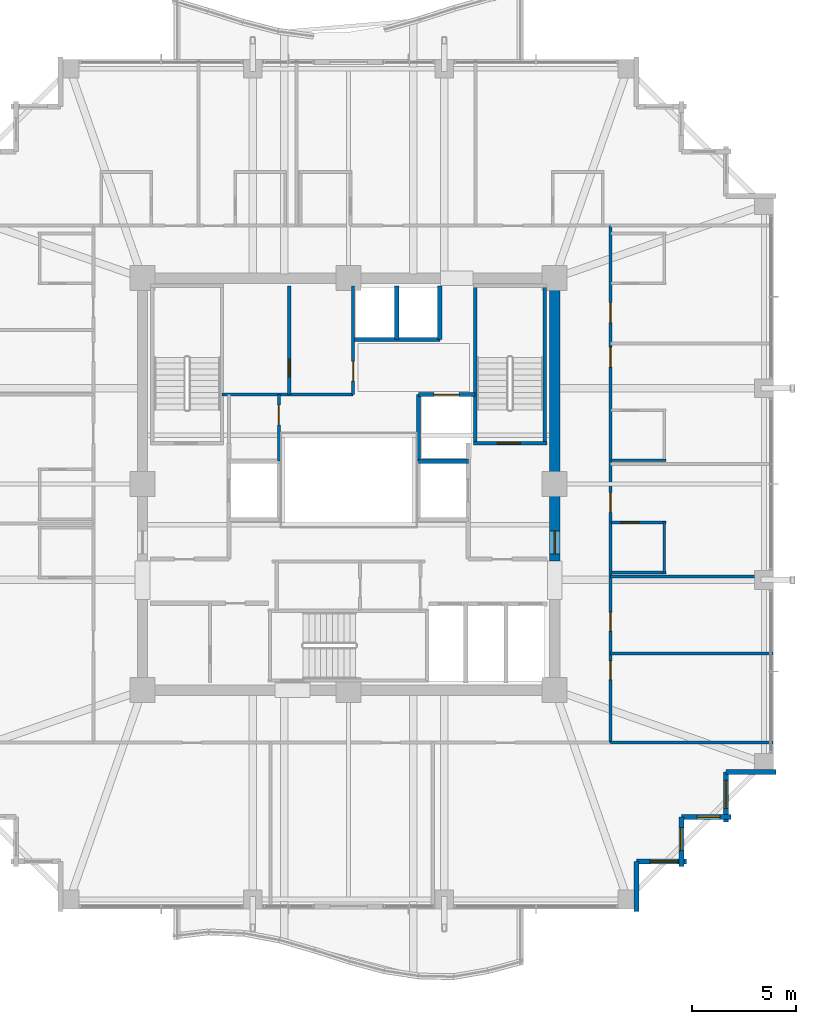
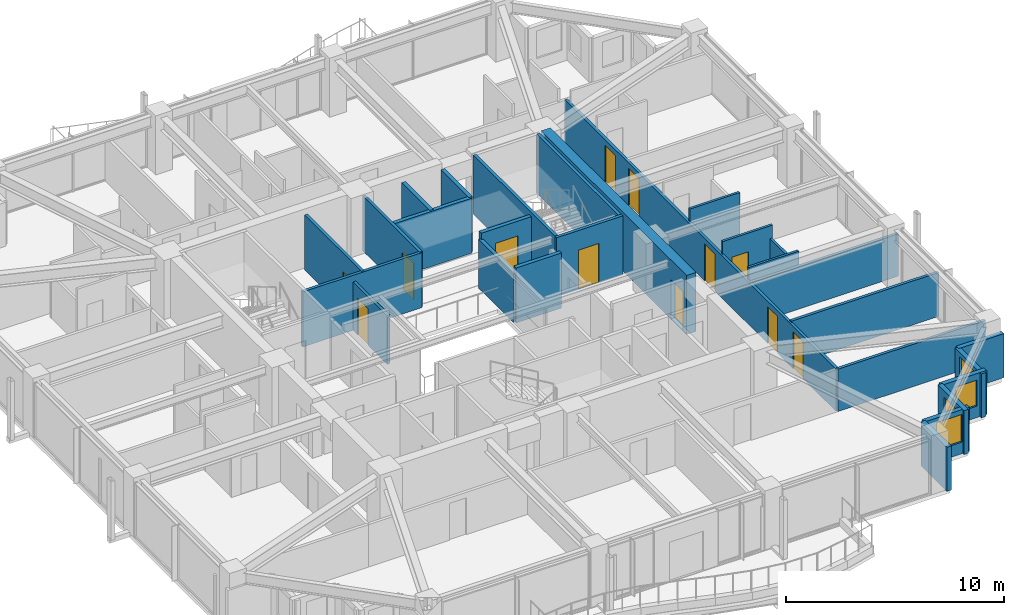
# One storey, part 33 of 37: 28 walls, 12 doors, 4 windows, 16 openings.
"""IFC4 building model written with IfcOpenShell, lengths in metres."""

from ifc_helpers import new_model, si_unit, direction, frame, frame_2d, origin, place, context, subcontext, project, spatial, rectangle, extrude, material, layer, layer_set, type_object, element, fill, save


model = new_model("IFC4")

# Units and contexts
model_context = context("Model", 3, precision=1e-05, world=origin(), true_north=direction((0.0, 1.0)))
body_context = subcontext(model_context, "Body", "Model", "MODEL_VIEW")
ifc_project = project(units=[si_unit("LENGTHUNIT", "METRE"), si_unit("AREAUNIT", "SQUARE_METRE"), si_unit("VOLUMEUNIT", "CUBIC_METRE"), si_unit("PLANEANGLEUNIT", "RADIAN"), si_unit("MASSUNIT", "GRAM", prefix="KILO")], contexts=[model_context])

# Site, building, storey
site_placement = place(None, origin())
site = spatial("IfcSite", under=ifc_project, at=site_placement, CompositionType="ELEMENT")
building_placement = place(site_placement, origin())
building = spatial("IfcBuilding", under=site, at=building_placement, Name="Kolvaren Belvedere", CompositionType="ELEMENT")
storey_placement = place(building_placement, frame((0.0, 0.0, 180.0)))
storey = spatial("IfcBuildingStorey", under=building, at=storey_placement, Name="L52", CompositionType="ELEMENT", Elevation=180.0)

# Wall, opening, door
ifc_material_1 = material(Name="Concrete C50/60", Category="concrete")
ifc_layer_1 = layer(ifc_material_1, 0.5)
ifc_layer_set_1 = layer_set([ifc_layer_1], Name="Concrete C50/60")
wall_type_1 = type_object("IfcWallType", Name="CW-CORE-500", PredefinedType="SHEAR", material=ifc_layer_set_1)
wall_1_placement = place(storey_placement, frame((9.89990234375, -3.699951171875, 0.0), z_axis=(0.0, 0.0, 1.0), x_axis=(0.0, 1.0, 0.0)))
wall_1 = element("IfcWall", 1, at=wall_1_placement, inside=storey, type_object=wall_type_1, Name="L52 East Core Shear Wall 2", PredefinedType="SHEAR", context=body_context, shape_type="SweptSolid", body=[
    extrude(rectangle(XDim=13.349853515625, YDim=0.5, at=frame_2d((6.6748046875, 0.0))), origin(), (0.0, 0.0, 1.0), 3.300048828125),
])
opening_1_placement = place(wall_1_placement, frame((0.35009765625, 0.0, 0.0)))
opening_1 = element("IfcOpeningElement", 2, at=opening_1_placement, cuts=wall_1, Name="Opening D-FD90", PredefinedType="OPENING", context=body_context, shape_type="SweptSolid", body=[
    extrude(rectangle(XDim=1.10009765625, YDim=2.199951171875, at=frame_2d((0.550048828125, 1.10009765625))), frame((0.0, 0.260009765625, 0.0), z_axis=(0.0, -1.0, 0.0), x_axis=(1.0, 0.0, 0.0)), (0.0, 0.0, 1.0), 0.52001953125),
])
ifc_material_2 = material(Name="Painted hollow stainless steel", Category="steel")
door_type_1 = type_object("IfcDoorType", Name="DR-FD90-1100", OperationType="NOTDEFINED", PredefinedType="DOOR", material=ifc_material_2)
door_1_placement = place(opening_1_placement, origin())
door_1 = element("IfcDoor", 3, at=door_1_placement, inside=storey, type_object=door_type_1, Name="L52 East Firefighting Lobby Fire Door", OperationType="SINGLE_SWING_RIGHT", OverallHeight=2.199951171875, OverallWidth=1.10009765625, PredefinedType="DOOR", context=body_context, shape_type="SweptSolid", body=[
    extrude(rectangle(XDim=1.10009765625, YDim=2.199951171875, at=frame_2d((0.550048828125, 1.10009765625))), frame((0.0, 0.02490234375, 0.0), z_axis=(0.0, -1.0, 0.0), x_axis=(1.0, 0.0, 0.0)), (0.0, 0.0, 1.0), 0.050048828125),
])
fill(opening_1, door_1)

ifc_material_3 = material(Name="Concrete C50/60", Category="concrete")
ifc_layer_2 = layer(ifc_material_3, 0.159912109375)
ifc_layer_set_2 = layer_set([ifc_layer_2], Name="Concrete C50/60")
wall_type_2 = type_object("IfcWallType", Name="CW-STAIR-160", PredefinedType="SHEAR", material=ifc_layer_set_2)
wall_2_placement = place(storey_placement, frame((6.0, 1.969970703125, 0.0), z_axis=(0.0, 0.0, 1.0), x_axis=(1.0, 0.0, 0.0)))
wall_2 = element("IfcWall", 4, at=wall_2_placement, inside=storey, type_object=wall_type_2, Name="L52 Stair ST-2 South Shear Wall", PredefinedType="SHEAR", context=body_context, shape_type="SweptSolid", body=[
    extrude(rectangle(XDim=3.52001953125, YDim=0.159912109375, at=frame_2d((1.760009765625, 0.0))), origin(), (0.0, 0.0, 1.0), 3.300048828125),
])
opening_2_placement = place(wall_2_placement, frame((1.14990234375, 0.0, 0.0)))
opening_2 = element("IfcOpeningElement", 5, at=opening_2_placement, cuts=wall_2, Name="Opening D-FD90", PredefinedType="OPENING", context=body_context, shape_type="SweptSolid", body=[
    extrude(rectangle(XDim=1.10009765625, YDim=2.199951171875, at=frame_2d((0.550048828125, 1.10009765625))), frame((0.0, 0.08984375, 0.0), z_axis=(0.0, -1.0, 0.0), x_axis=(1.0, 0.0, 0.0)), (0.0, 0.0, 1.0), 0.179931640625),
])
door_2_placement = place(opening_2_placement, origin())
door_2 = element("IfcDoor", 6, at=door_2_placement, inside=storey, type_object=door_type_1, Name="L52 Stair ST-2 Fire Door", OperationType="SINGLE_SWING_RIGHT", OverallHeight=2.199951171875, OverallWidth=1.10009765625, PredefinedType="DOOR", context=body_context, shape_type="SweptSolid", body=[
    extrude(rectangle(XDim=1.10009765625, YDim=2.199951171875, at=frame_2d((0.550048828125, 1.10009765625))), frame((0.0, 0.02490234375, 0.0), z_axis=(0.0, -1.0, 0.0), x_axis=(1.0, 0.0, 0.0)), (0.0, 0.0, 1.0), 0.050048828125),
])
fill(opening_2, door_2)

# Walls
for number, where, z_axis, x_axis, name in (
    (7, (6.080078125, 1.969970703125, 0.0), (0.0, 0.0, 1.0), (0.0, 1.0, 0.0), "L52 Stair ST-2 West Shear Wall"),
    (8, (9.429931640625, 1.969970703125, 0.0), (0.0, 0.0, 1.0), (0.0, 1.0, 0.0), "L52 Stair ST-2 East Shear Wall"),
):
    element("IfcWall", number, at=place(storey_placement, frame(where, z_axis=z_axis, x_axis=x_axis)), inside=storey, type_object=wall_type_2, Name=name, PredefinedType="SHEAR", context=body_context, shape_type="SweptSolid", body=[
        extrude(rectangle(XDim=7.56005859375, YDim=0.159912109375, at=frame_2d((3.780029296875, 0.0))), origin(), (0.0, 0.0, 1.0), 3.300048828125),
    ])

# Wall, openings, doors
ifc_material_4 = material(Name="Gypsum fire-rated partition assembly", Category="gypsum")
ifc_layer_3 = layer(ifc_material_4, 0.14990234375)
ifc_layer_set_3 = layer_set([ifc_layer_3], Name="Gypsum fire-rated partition assembly")
wall_type_3 = type_object("IfcWallType", Name="WL-CORR-150", PredefinedType="PARTITIONING", material=ifc_layer_set_3)
wall_3_placement = place(storey_placement, frame((12.580078125, -12.419921875, 0.0), z_axis=(0.0, 0.0, 1.0), x_axis=(0.0, 1.0, 0.0)))
wall_3 = element("IfcWall", 9, at=wall_3_placement, inside=storey, type_object=wall_type_3, Name="L52 East Corridor Wall", PredefinedType="PARTITIONING", context=body_context, shape_type="SweptSolid", body=[
    extrude(rectangle(XDim=24.83984375, YDim=0.14990234375, at=frame_2d((12.419921875, 0.0))), origin(), (0.0, 0.0, 1.0), 2.368896484375),
])
opening_3_placement = place(wall_3_placement, frame((3.0244140625, 0.0, 0.0)))
opening_3 = element("IfcOpeningElement", 10, at=opening_3_placement, cuts=wall_3, Name="Opening D-INT90", PredefinedType="OPENING", context=body_context, shape_type="SweptSolid", body=[
    extrude(rectangle(XDim=0.89990234375, YDim=2.06005859375, at=frame_2d((0.449951171875, 1.030029296875))), frame((0.0, 0.0849609375, 0.0), z_axis=(0.0, -1.0, 0.0), x_axis=(1.0, 0.0, 0.0)), (0.0, 0.0, 1.0), 0.169921875),
])
opening_4_placement = place(wall_3_placement, frame((5.359375, 0.0, 0.0)))
opening_4 = element("IfcOpeningElement", 11, at=opening_4_placement, cuts=wall_3, Name="Opening D-INT90", PredefinedType="OPENING", context=body_context, shape_type="SweptSolid", body=[
    extrude(rectangle(XDim=0.89990234375, YDim=2.06005859375, at=frame_2d((0.449951171875, 1.030029296875))), frame((0.0, 0.0849609375, 0.0), z_axis=(0.0, -1.0, 0.0), x_axis=(1.0, 0.0, 0.0)), (0.0, 0.0, 1.0), 0.169921875),
])
opening_5_placement = place(wall_3_placement, frame((11.0673828125, 0.0, 0.0)))
opening_5 = element("IfcOpeningElement", 12, at=opening_5_placement, cuts=wall_3, Name="Opening D-FD60", PredefinedType="OPENING", context=body_context, shape_type="SweptSolid", body=[
    extrude(rectangle(XDim=0.949951171875, YDim=2.06005859375, at=frame_2d((0.47509765625, 1.030029296875))), frame((0.0, 0.0849609375, 0.0), z_axis=(0.0, -1.0, 0.0), x_axis=(1.0, 0.0, 0.0)), (0.0, 0.0, 1.0), 0.169921875),
])
opening_6_placement = place(wall_3_placement, frame((18.0380859375, 0.0, 0.0)))
opening_6 = element("IfcOpeningElement", 13, at=opening_6_placement, cuts=wall_3, Name="Opening D-FD60", PredefinedType="OPENING", context=body_context, shape_type="SweptSolid", body=[
    extrude(rectangle(XDim=0.949951171875, YDim=2.06005859375, at=frame_2d((0.47509765625, 1.030029296875))), frame((0.0, 0.0849609375, 0.0), z_axis=(0.0, -1.0, 0.0), x_axis=(1.0, 0.0, 0.0)), (0.0, 0.0, 1.0), 0.169921875),
])
opening_7_placement = place(wall_3_placement, frame((20.18359375, 0.0, 0.0)))
opening_7 = element("IfcOpeningElement", 14, at=opening_7_placement, cuts=wall_3, Name="Opening D-FD60", PredefinedType="OPENING", context=body_context, shape_type="SweptSolid", body=[
    extrude(rectangle(XDim=0.949951171875, YDim=2.06005859375, at=frame_2d((0.47509765625, 1.030029296875))), frame((0.0, 0.0849609375, 0.0), z_axis=(0.0, -1.0, 0.0), x_axis=(1.0, 0.0, 0.0)), (0.0, 0.0, 1.0), 0.169921875),
])
ifc_material_5 = material(Name="Acoustic white-oak fire door leaf", Category="timber")
door_type_2 = type_object("IfcDoorType", Name="DR-FD60-950", OperationType="NOTDEFINED", PredefinedType="DOOR", material=ifc_material_5)
door_3_placement = place(opening_5_placement, origin())
door_3 = element("IfcDoor", 15, at=door_3_placement, inside=storey, type_object=door_type_2, Name="L52 King Guest Room 5206 Entry Door", OperationType="SINGLE_SWING_RIGHT", OverallHeight=2.06005859375, OverallWidth=0.949951171875, PredefinedType="DOOR", context=body_context, shape_type="SweptSolid", body=[
    extrude(rectangle(XDim=0.949951171875, YDim=2.06005859375, at=frame_2d((0.47509765625, 1.030029296875))), frame((0.0, 0.02490234375, 0.0), z_axis=(0.0, -1.0, 0.0), x_axis=(1.0, 0.0, 0.0)), (0.0, 0.0, 1.0), 0.050048828125),
])
fill(opening_5, door_3)
door_4_placement = place(opening_6_placement, origin())
door_4 = element("IfcDoor", 16, at=door_4_placement, inside=storey, type_object=door_type_2, Name="L52 Botanical Hospitality Suite 5207 Entry Door", OperationType="SINGLE_SWING_RIGHT", OverallHeight=2.06005859375, OverallWidth=0.949951171875, PredefinedType="DOOR", context=body_context, shape_type="SweptSolid", body=[
    extrude(rectangle(XDim=0.949951171875, YDim=2.06005859375, at=frame_2d((0.47509765625, 1.030029296875))), frame((0.0, 0.02490234375, 0.0), z_axis=(0.0, -1.0, 0.0), x_axis=(1.0, 0.0, 0.0)), (0.0, 0.0, 1.0), 0.050048828125),
])
fill(opening_6, door_4)
door_5_placement = place(opening_7_placement, origin())
door_5 = element("IfcDoor", 17, at=door_5_placement, inside=storey, type_object=door_type_2, Name="L52 Botanical Hospitality Suite 5208 Entry Door", OperationType="SINGLE_SWING_RIGHT", OverallHeight=2.06005859375, OverallWidth=0.949951171875, PredefinedType="DOOR", context=body_context, shape_type="SweptSolid", body=[
    extrude(rectangle(XDim=0.949951171875, YDim=2.06005859375, at=frame_2d((0.47509765625, 1.030029296875))), frame((0.0, 0.02490234375, 0.0), z_axis=(0.0, -1.0, 0.0), x_axis=(1.0, 0.0, 0.0)), (0.0, 0.0, 1.0), 0.050048828125),
])
fill(opening_7, door_5)
ifc_material_6 = material(Name="Stained Pacific white oak", Category="timber")
door_type_3 = type_object("IfcDoorType", Name="DR-INT-900", OperationType="NOTDEFINED", PredefinedType="DOOR", material=ifc_material_6)
door_6_placement = place(opening_3_placement, origin())
door_6 = element("IfcDoor", 18, at=door_6_placement, inside=storey, type_object=door_type_3, Name="L52 Panoramic Quiet Lounge 5204 Door", OperationType="SINGLE_SWING_LEFT", OverallHeight=2.06005859375, OverallWidth=0.89990234375, PredefinedType="DOOR", context=body_context, shape_type="SweptSolid", body=[
    extrude(rectangle(XDim=0.89990234375, YDim=2.06005859375, at=frame_2d((0.449951171875, 1.030029296875))), frame((0.0, 0.02490234375, 0.0), z_axis=(0.0, -1.0, 0.0), x_axis=(1.0, 0.0, 0.0)), (0.0, 0.0, 1.0), 0.050048828125),
])
fill(opening_3, door_6)
door_7_placement = place(opening_4_placement, origin())
door_7 = element("IfcDoor", 19, at=door_7_placement, inside=storey, type_object=door_type_3, Name="L52 Botanical Reading Salon 5205 Door", OperationType="SINGLE_SWING_RIGHT", OverallHeight=2.06005859375, OverallWidth=0.89990234375, PredefinedType="DOOR", context=body_context, shape_type="SweptSolid", body=[
    extrude(rectangle(XDim=0.89990234375, YDim=2.06005859375, at=frame_2d((0.449951171875, 1.030029296875))), frame((0.0, 0.02490234375, 0.0), z_axis=(0.0, -1.0, 0.0), x_axis=(1.0, 0.0, 0.0)), (0.0, 0.0, 1.0), 0.050048828125),
])
fill(opening_4, door_7)

# Wall
ifc_material_7 = material(Name="Insulated pale-metal facade wall assembly", Category="aluminium")
ifc_layer_4 = layer(ifc_material_7, 0.239990234375)
ifc_layer_set_4 = layer_set([ifc_layer_4], Name="Insulated pale-metal facade wall assembly")
wall_type_4 = type_object("IfcWallType", Name="WL-EXT-240", PredefinedType="STANDARD", material=ifc_layer_set_4)
wall_4_placement = place(storey_placement, frame((13.830078125, -18.1298828125, 0.0), z_axis=(0.0, 0.0, 1.0), x_axis=(0.0, -1.0, 0.0)))
element("IfcWall", 20, at=wall_4_placement, inside=storey, type_object=wall_type_4, Name="L52 Serrated Corner Facade Wall 2", PredefinedType="STANDARD", context=body_context, shape_type="SweptSolid", body=[
    extrude(rectangle(XDim=2.39013671875, YDim=0.239990234375, at=frame_2d((1.195068359375, 0.0))), origin(), (0.0, 0.0, 1.0), 2.462890625),
])

# Wall, opening, window
wall_5_placement = place(storey_placement, frame((16.219970703125, -18.1298828125, 0.0), z_axis=(0.0, 0.0, 1.0), x_axis=(-1.0, 0.0, 0.0)))
wall_5 = element("IfcWall", 21, at=wall_5_placement, inside=storey, type_object=wall_type_4, Name="L52 Serrated Corner Facade Wall 3", PredefinedType="STANDARD", context=body_context, shape_type="SweptSolid", body=[
    extrude(rectangle(XDim=2.389892578125, YDim=0.239990234375, at=frame_2d((1.19482421875, 0.0))), origin(), (0.0, 0.0, 1.0), 2.462890625),
])
opening_8_placement = place(wall_5_placement, frame((0.39990234375, 0.0, 0.64990234375)))
opening_8 = element("IfcOpeningElement", 22, at=opening_8_placement, cuts=wall_5, Name="Opening W-1350", PredefinedType="OPENING", context=body_context, shape_type="SweptSolid", body=[
    extrude(rectangle(XDim=1.35009765625, YDim=1.550048828125, at=frame_2d((0.675048828125, 0.77490234375))), frame((0.0, 0.1298828125, 0.0), z_axis=(0.0, -1.0, 0.0), x_axis=(1.0, 0.0, 0.0)), (0.0, 0.0, 1.0), 0.260009765625),
])
ifc_material_8 = material(Name="Low-iron triple insulated glass", Category="glass")
window_type_1 = type_object("IfcWindowType", Name="WN-CORN-1350", PartitioningType="SINGLE_PANEL", PredefinedType="WINDOW", material=ifc_material_8)
window_1_placement = place(opening_8_placement, origin())
window_1 = element("IfcWindow", 23, at=window_1_placement, inside=storey, type_object=window_type_1, Name="L52 Serrated Corner Vision Window 3", OverallHeight=1.550048828125, OverallWidth=1.35009765625, PartitioningType="SINGLE_PANEL", PredefinedType="WINDOW", context=body_context, shape_type="SweptSolid", body=[
    extrude(rectangle(XDim=1.35009765625, YDim=1.550048828125, at=frame_2d((0.675048828125, 0.77490234375))), frame((0.0, 0.030029296875, 0.0), z_axis=(0.0, -1.0, 0.0), x_axis=(1.0, 0.0, 0.0)), (0.0, 0.0, 1.0), 0.06005859375),
])
fill(opening_8, window_1)

wall_6_placement = place(storey_placement, frame((15.97998046875, -15.97998046875, 0.0), z_axis=(0.0, 0.0, 1.0), x_axis=(0.0, -1.0, 0.0)))
wall_6 = element("IfcWall", 24, at=wall_6_placement, inside=storey, type_object=wall_type_4, Name="L52 Serrated Corner Facade Wall 4", PredefinedType="STANDARD", context=body_context, shape_type="SweptSolid", body=[
    extrude(rectangle(XDim=2.39013671875, YDim=0.239990234375, at=frame_2d((1.195068359375, 0.0))), origin(), (0.0, 0.0, 1.0), 2.462890625),
])
opening_9_placement = place(wall_6_placement, frame((0.52490234375, 0.0, 0.64990234375)))
opening_9 = element("IfcOpeningElement", 25, at=opening_9_placement, cuts=wall_6, Name="Opening W-1100", PredefinedType="OPENING", context=body_context, shape_type="SweptSolid", body=[
    extrude(rectangle(XDim=1.10009765625, YDim=1.449951171875, at=frame_2d((0.550048828125, 0.72509765625))), frame((0.0, 0.1298828125, 0.0), z_axis=(0.0, -1.0, 0.0), x_axis=(1.0, 0.0, 0.0)), (0.0, 0.0, 1.0), 0.260009765625),
])
ifc_material_9 = material(Name="Low-iron triple insulated glass", Category="glass")
window_type_2 = type_object("IfcWindowType", Name="WN-CORN-1100", PartitioningType="SINGLE_PANEL", PredefinedType="WINDOW", material=ifc_material_9)
window_2_placement = place(opening_9_placement, origin())
window_2 = element("IfcWindow", 26, at=window_2_placement, inside=storey, type_object=window_type_2, Name="L52 Serrated Corner Vision Window 4", OverallHeight=1.449951171875, OverallWidth=1.10009765625, PartitioningType="SINGLE_PANEL", PredefinedType="WINDOW", context=body_context, shape_type="SweptSolid", body=[
    extrude(rectangle(XDim=1.10009765625, YDim=1.449951171875, at=frame_2d((0.550048828125, 0.72509765625))), frame((0.0, 0.030029296875, 0.0), z_axis=(0.0, -1.0, 0.0), x_axis=(1.0, 0.0, 0.0)), (0.0, 0.0, 1.0), 0.06005859375),
])
fill(opening_9, window_2)

wall_7_placement = place(storey_placement, frame((18.3701171875, -15.97998046875, 0.0), z_axis=(0.0, 0.0, 1.0), x_axis=(-1.0, 0.0, 0.0)))
wall_7 = element("IfcWall", 27, at=wall_7_placement, inside=storey, type_object=wall_type_4, Name="L52 Serrated Corner Facade Wall 5", PredefinedType="STANDARD", context=body_context, shape_type="SweptSolid", body=[
    extrude(rectangle(XDim=2.39013671875, YDim=0.239990234375, at=frame_2d((1.195068359375, 0.0))), origin(), (0.0, 0.0, 1.0), 2.462890625),
])
opening_10_placement = place(wall_7_placement, frame((0.52490234375, 0.0, 0.64990234375)))
opening_10 = element("IfcOpeningElement", 28, at=opening_10_placement, cuts=wall_7, Name="Opening W-1100", PredefinedType="OPENING", context=body_context, shape_type="SweptSolid", body=[
    extrude(rectangle(XDim=1.10009765625, YDim=1.449951171875, at=frame_2d((0.550048828125, 0.72509765625))), frame((0.0, 0.1298828125, 0.0), z_axis=(0.0, -1.0, 0.0), x_axis=(1.0, 0.0, 0.0)), (0.0, 0.0, 1.0), 0.260009765625),
])
window_3_placement = place(opening_10_placement, origin())
window_3 = element("IfcWindow", 29, at=window_3_placement, inside=storey, type_object=window_type_2, Name="L52 Serrated Corner Vision Window 5", OverallHeight=1.449951171875, OverallWidth=1.10009765625, PartitioningType="SINGLE_PANEL", PredefinedType="WINDOW", context=body_context, shape_type="SweptSolid", body=[
    extrude(rectangle(XDim=1.10009765625, YDim=1.449951171875, at=frame_2d((0.550048828125, 0.72509765625))), frame((0.0, 0.030029296875, 0.0), z_axis=(0.0, -1.0, 0.0), x_axis=(1.0, 0.0, 0.0)), (0.0, 0.0, 1.0), 0.06005859375),
])
fill(opening_10, window_3)

wall_8_placement = place(storey_placement, frame((18.1298828125, -13.830078125, 0.0), z_axis=(0.0, 0.0, 1.0), x_axis=(0.0, -1.0, 0.0)))
wall_8 = element("IfcWall", 30, at=wall_8_placement, inside=storey, type_object=wall_type_4, Name="L52 Serrated Corner Facade Wall 6", PredefinedType="STANDARD", context=body_context, shape_type="SweptSolid", body=[
    extrude(rectangle(XDim=2.389892578125, YDim=0.239990234375, at=frame_2d((1.19482421875, 0.0))), origin(), (0.0, 0.0, 1.0), 2.462890625),
])
opening_11_placement = place(wall_8_placement, frame((0.39990234375, 0.0, 0.64990234375)))
opening_11 = element("IfcOpeningElement", 31, at=opening_11_placement, cuts=wall_8, Name="Opening W-1350", PredefinedType="OPENING", context=body_context, shape_type="SweptSolid", body=[
    extrude(rectangle(XDim=1.35009765625, YDim=1.550048828125, at=frame_2d((0.675048828125, 0.77490234375))), frame((0.0, 0.1298828125, 0.0), z_axis=(0.0, -1.0, 0.0), x_axis=(1.0, 0.0, 0.0)), (0.0, 0.0, 1.0), 0.260009765625),
])
window_4_placement = place(opening_11_placement, origin())
window_4 = element("IfcWindow", 32, at=window_4_placement, inside=storey, type_object=window_type_1, Name="L52 Serrated Corner Vision Window 6", OverallHeight=1.550048828125, OverallWidth=1.35009765625, PartitioningType="SINGLE_PANEL", PredefinedType="WINDOW", context=body_context, shape_type="SweptSolid", body=[
    extrude(rectangle(XDim=1.35009765625, YDim=1.550048828125, at=frame_2d((0.675048828125, 0.77490234375))), frame((0.0, 0.030029296875, 0.0), z_axis=(0.0, -1.0, 0.0), x_axis=(1.0, 0.0, 0.0)), (0.0, 0.0, 1.0), 0.06005859375),
])
fill(opening_11, window_4)

# Walls
wall_9_placement = place(storey_placement, frame((20.52001953125, -13.830078125, 0.0), z_axis=(0.0, 0.0, 1.0), x_axis=(-1.0, 0.0, 0.0)))
element("IfcWall", 33, at=wall_9_placement, inside=storey, type_object=wall_type_4, Name="L52 Serrated Corner Facade Wall 7", PredefinedType="STANDARD", context=body_context, shape_type="SweptSolid", body=[
    extrude(rectangle(XDim=2.39013671875, YDim=0.239990234375, at=frame_2d((1.195068359375, 0.0))), origin(), (0.0, 0.0, 1.0), 2.462890625),
])
ifc_material_10 = material(Name="Gypsum acoustic partition assembly", Category="gypsum")
ifc_layer_5 = layer(ifc_material_10, 0.14990234375)
ifc_layer_set_5 = layer_set([ifc_layer_5], Name="Gypsum acoustic partition assembly")
wall_type_5 = type_object("IfcWallType", Name="WL-PART-150", PredefinedType="PARTITIONING", material=ifc_layer_set_5)
wall_10_placement = place(storey_placement, frame((-6.080078125, 4.300048828125, 0.0), z_axis=(0.0, 0.0, 1.0), x_axis=(1.0, 0.0, 0.0)))
element("IfcWall", 34, at=wall_10_placement, inside=storey, type_object=wall_type_5, Name="L52 Reclaimed Salon South Wall", PredefinedType="PARTITIONING", context=body_context, shape_type="SweptSolid", body=[
    extrude(rectangle(XDim=6.300048828125, YDim=0.14990234375, at=frame_2d((3.14990234375, 0.0))), origin(), (0.0, 0.0, 1.0), 3.080078125),
])

# Wall, opening, door
wall_11_placement = place(storey_placement, frame((0.219970703125, 4.300048828125, 0.0), z_axis=(0.0, 0.0, 1.0), x_axis=(0.0, 1.0, 0.0)))
wall_11 = element("IfcWall", 35, at=wall_11_placement, inside=storey, type_object=wall_type_5, Name="L52 Reclaimed Salon East Wall", PredefinedType="PARTITIONING", context=body_context, shape_type="SweptSolid", body=[
    extrude(rectangle(XDim=5.219970703125, YDim=0.14990234375, at=frame_2d((2.60986328125, 0.0))), origin(), (0.0, 0.0, 1.0), 3.080078125),
])
opening_12_placement = place(wall_11_placement, frame((0.64990234375, 0.0, 0.0)))
opening_12 = element("IfcOpeningElement", 36, at=opening_12_placement, cuts=wall_11, Name="Opening D-INT95", PredefinedType="OPENING", context=body_context, shape_type="SweptSolid", body=[
    extrude(rectangle(XDim=0.949951171875, YDim=2.06005859375, at=frame_2d((0.47509765625, 1.030029296875))), frame((0.0, 0.0849609375, 0.0), z_axis=(0.0, -1.0, 0.0), x_axis=(1.0, 0.0, 0.0)), (0.0, 0.0, 1.0), 0.169921875),
])
ifc_material_11 = material(Name="Stained Pacific white oak", Category="timber")
door_type_4 = type_object("IfcDoorType", Name="DR-INT-950", OperationType="NOTDEFINED", PredefinedType="DOOR", material=ifc_material_11)
door_8_placement = place(opening_12_placement, origin())
door_8 = element("IfcDoor", 37, at=door_8_placement, inside=storey, type_object=door_type_4, Name="L52 Sky Boardroom Door", OperationType="SINGLE_SWING_LEFT", OverallHeight=2.06005859375, OverallWidth=0.949951171875, PredefinedType="DOOR", context=body_context, shape_type="SweptSolid", body=[
    extrude(rectangle(XDim=0.949951171875, YDim=2.06005859375, at=frame_2d((0.47509765625, 1.030029296875))), frame((0.0, 0.02490234375, 0.0), z_axis=(0.0, -1.0, 0.0), x_axis=(1.0, 0.0, 0.0)), (0.0, 0.0, 1.0), 0.050048828125),
])
fill(opening_12, door_8)

wall_12_placement = place(storey_placement, frame((-2.85009765625, 4.300048828125, 0.0), z_axis=(0.0, 0.0, 1.0), x_axis=(0.0, 1.0, 0.0)))
wall_12 = element("IfcWall", 38, at=wall_12_placement, inside=storey, type_object=wall_type_5, Name="L52 Reclaimed Salon Divider", PredefinedType="PARTITIONING", context=body_context, shape_type="SweptSolid", body=[
    extrude(rectangle(XDim=5.219970703125, YDim=0.14990234375, at=frame_2d((2.60986328125, 0.0))), origin(), (0.0, 0.0, 1.0), 3.080078125),
])
opening_13_placement = place(wall_12_placement, frame((0.85009765625, 0.0, 0.0)))
opening_13 = element("IfcOpeningElement", 39, at=opening_13_placement, cuts=wall_12, Name="Opening D-INT85", PredefinedType="OPENING", context=body_context, shape_type="SweptSolid", body=[
    extrude(rectangle(XDim=0.85009765625, YDim=2.030029296875, at=frame_2d((0.425048828125, 1.01513671875))), frame((0.0, 0.0849609375, 0.0), z_axis=(0.0, -1.0, 0.0), x_axis=(1.0, 0.0, 0.0)), (0.0, 0.0, 1.0), 0.169921875),
])
ifc_material_12 = material(Name="Stained Pacific white oak", Category="timber")
door_type_5 = type_object("IfcDoorType", Name="DR-INT-850", OperationType="NOTDEFINED", PredefinedType="DOOR", material=ifc_material_12)
door_9_placement = place(opening_13_placement, origin())
door_9 = element("IfcDoor", 40, at=door_9_placement, inside=storey, type_object=door_type_5, Name="L52 Beverage Pantry Door", OperationType="SINGLE_SWING_RIGHT", OverallHeight=2.030029296875, OverallWidth=0.85009765625, PredefinedType="DOOR", context=body_context, shape_type="SweptSolid", body=[
    extrude(rectangle(XDim=0.85009765625, YDim=2.030029296875, at=frame_2d((0.425048828125, 1.01513671875))), frame((0.0, 0.02490234375, 0.0), z_axis=(0.0, -1.0, 0.0), x_axis=(1.0, 0.0, 0.0)), (0.0, 0.0, 1.0), 0.050048828125),
])
fill(opening_13, door_9)

wall_13_placement = place(storey_placement, frame((-3.35009765625, 1.10009765625, 0.0), z_axis=(0.0, 0.0, 1.0), x_axis=(0.0, 1.0, 0.0)))
wall_13 = element("IfcWall", 41, at=wall_13_placement, inside=storey, type_object=wall_type_5, Name="L52 NW Service Room East Wall", PredefinedType="PARTITIONING", context=body_context, shape_type="SweptSolid", body=[
    extrude(rectangle(XDim=3.199951171875, YDim=0.14990234375, at=frame_2d((1.60009765625, 0.0))), origin(), (0.0, 0.0, 1.0), 2.715087890625),
])
opening_14_placement = place(wall_13_placement, frame((1.75, 0.0, 0.0)))
opening_14 = element("IfcOpeningElement", 42, at=opening_14_placement, cuts=wall_13, Name="Opening D-FD60", PredefinedType="OPENING", context=body_context, shape_type="SweptSolid", body=[
    extrude(rectangle(XDim=0.949951171875, YDim=2.06005859375, at=frame_2d((0.47509765625, 1.030029296875))), frame((0.0, 0.0849609375, 0.0), z_axis=(0.0, -1.0, 0.0), x_axis=(1.0, 0.0, 0.0)), (0.0, 0.0, 1.0), 0.169921875),
])
door_10_placement = place(opening_14_placement, origin())
door_10 = element("IfcDoor", 43, at=door_10_placement, inside=storey, type_object=door_type_2, Name="L52 NW Core Store Door", OperationType="SINGLE_SWING_LEFT", OverallHeight=2.06005859375, OverallWidth=0.949951171875, PredefinedType="DOOR", context=body_context, shape_type="SweptSolid", body=[
    extrude(rectangle(XDim=0.949951171875, YDim=2.06005859375, at=frame_2d((0.47509765625, 1.030029296875))), frame((0.0, 0.02490234375, 0.0), z_axis=(0.0, -1.0, 0.0), x_axis=(1.0, 0.0, 0.0)), (0.0, 0.0, 1.0), 0.050048828125),
])
fill(opening_14, door_10)

# Walls
wall_14_placement = place(storey_placement, frame((12.580078125, -12.419921875, 0.0), z_axis=(0.0, 0.0, 1.0), x_axis=(1.0, 0.0, 0.0)))
element("IfcWall", 44, at=wall_14_placement, inside=storey, type_object=wall_type_5, Name="L52 Wing Divider PW-L52-QSE", PredefinedType="PARTITIONING", context=body_context, shape_type="SweptSolid", body=[
    extrude(rectangle(XDim=7.7998046875, YDim=0.14990234375, at=frame_2d((3.89990234375, 0.0))), origin(), (0.0, 0.0, 1.0), 2.368896484375),
])
wall_15_placement = place(storey_placement, frame((12.580078125, -8.139892578125, 0.0), z_axis=(0.0, 0.0, 1.0), x_axis=(1.0, 0.0, 0.0)))
element("IfcWall", 45, at=wall_15_placement, inside=storey, type_object=wall_type_5, Name="L52 East Suite Demising Wall 1", PredefinedType="PARTITIONING", context=body_context, shape_type="SweptSolid", body=[
    extrude(rectangle(XDim=7.7998046875, YDim=0.14990234375, at=frame_2d((3.89990234375, 0.0))), origin(), (0.0, 0.0, 1.0), 2.452880859375),
])
wall_16_placement = place(storey_placement, frame((12.580078125, -4.43994140625, 0.0), z_axis=(0.0, 0.0, 1.0), x_axis=(1.0, 0.0, 0.0)))
element("IfcWall", 46, at=wall_16_placement, inside=storey, type_object=wall_type_5, Name="L52 East Suite Demising Wall 2", PredefinedType="PARTITIONING", context=body_context, shape_type="SweptSolid", body=[
    extrude(rectangle(XDim=7.7998046875, YDim=0.14990234375, at=frame_2d((3.89990234375, 0.0))), origin(), (0.0, 0.0, 1.0), 2.368896484375),
])
ifc_material_13 = material(Name="Concrete C50/60", Category="concrete")
ifc_layer_6 = layer(ifc_material_13, 0.199951171875)
ifc_layer_set_6 = layer_set([ifc_layer_6], Name="Concrete C50/60")
wall_type_6 = type_object("IfcWallType", Name="WL-SHAFT-200", PredefinedType="SOLIDWALL", material=ifc_layer_set_6)
wall_17_placement = place(storey_placement, frame((3.35009765625, 1.10009765625, 0.0), z_axis=(0.0, 0.0, 1.0), x_axis=(1.0, 0.0, 0.0)))
element("IfcWall", 47, at=wall_17_placement, inside=storey, type_object=wall_type_6, Name="L52 FSAE FS2 North Wall", PredefinedType="SOLIDWALL", context=body_context, shape_type="SweptSolid", body=[
    extrude(rectangle(XDim=2.39990234375, YDim=0.199951171875, at=frame_2d((1.199951171875, 0.0))), origin(), (0.0, 0.0, 1.0), 3.080078125),
])

# Wall, opening, door
wall_18_placement = place(storey_placement, frame((3.35009765625, 4.300048828125, 0.0), z_axis=(0.0, 0.0, 1.0), x_axis=(1.0, 0.0, 0.0)))
wall_18 = element("IfcWall", 48, at=wall_18_placement, inside=storey, type_object=wall_type_6, Name="L52 Service Lift SV1 Front Wall", PredefinedType="SOLIDWALL", context=body_context, shape_type="SweptSolid", body=[
    extrude(rectangle(XDim=2.72998046875, YDim=0.199951171875, at=frame_2d((1.364990234375, 0.0))), origin(), (0.0, 0.0, 1.0), 3.080078125),
])
opening_15_placement = place(wall_18_placement, frame((0.75, 0.0, 0.0)))
opening_15 = element("IfcOpeningElement", 49, at=opening_15_placement, cuts=wall_18, Name="Opening LD-12", PredefinedType="OPENING", context=body_context, shape_type="SweptSolid", body=[
    extrude(rectangle(XDim=1.199951171875, YDim=2.25, at=frame_2d((0.60009765625, 1.125))), frame((0.0, 0.10986328125, 0.0), z_axis=(0.0, -1.0, 0.0), x_axis=(1.0, 0.0, 0.0)), (0.0, 0.0, 1.0), 0.219970703125),
])
ifc_material_14 = material(Name="Brushed stainless steel", Category="steel")
door_type_6 = type_object("IfcDoorType", Name="DR-LIFT-1200", OperationType="DOUBLE_DOOR_SLIDING", PredefinedType="DOOR", material=ifc_material_14)
door_11_placement = place(opening_15_placement, origin())
door_11 = element("IfcDoor", 50, at=door_11_placement, inside=storey, type_object=door_type_6, Name="L52 Service Lift SV1 Landing Door", OperationType="DOUBLE_DOOR_SLIDING", OverallHeight=2.25, OverallWidth=1.199951171875, PredefinedType="DOOR", context=body_context, shape_type="SweptSolid", body=[
    extrude(rectangle(XDim=1.199951171875, YDim=2.25, at=frame_2d((0.60009765625, 1.125))), frame((0.0, 0.02490234375, 0.0), z_axis=(0.0, -1.0, 0.0), x_axis=(1.0, 0.0, 0.0)), (0.0, 0.0, 1.0), 0.050048828125),
])
fill(opening_15, door_11)

# Walls
wall_19_placement = place(storey_placement, frame((3.35009765625, 1.10009765625, 0.0), z_axis=(0.0, 0.0, 1.0), x_axis=(0.0, 1.0, 0.0)))
element("IfcWall", 51, at=wall_19_placement, inside=storey, type_object=wall_type_6, Name="L52 Service Lift SV1 West Wall", PredefinedType="SOLIDWALL", context=body_context, shape_type="SweptSolid", body=[
    extrude(rectangle(XDim=3.199951171875, YDim=0.199951171875, at=frame_2d((1.60009765625, 0.0))), origin(), (0.0, 0.0, 1.0), 2.715087890625),
])
wall_20_placement = place(storey_placement, frame((0.219970703125, 6.949951171875, 0.0), z_axis=(0.0, 0.0, 1.0), x_axis=(1.0, 0.0, 0.0)))
element("IfcWall", 52, at=wall_20_placement, inside=storey, type_object=wall_type_6, Name="L52 Express Shuttle Hoistway Wall", PredefinedType="SOLIDWALL", context=body_context, shape_type="SweptSolid", body=[
    extrude(rectangle(XDim=4.179931640625, YDim=0.199951171875, at=frame_2d((2.08984375, 0.0))), origin(), (0.0, 0.0, 1.0), 3.080078125),
])
for number, where, z_axis, x_axis, name in (
    (53, (4.3798828125, 6.949951171875, 0.0), (0.0, 0.0, 1.0), (0.0, 1.0, 0.0), "L52 Express Shuttle East Wall"),
    (54, (2.31005859375, 6.949951171875, 0.0), (0.0, 0.0, 1.0), (0.0, 1.0, 0.0), "L52 Express Shuttle Divider"),
):
    element("IfcWall", number, at=place(storey_placement, frame(where, z_axis=z_axis, x_axis=x_axis)), inside=storey, type_object=wall_type_6, Name=name, PredefinedType="SOLIDWALL", context=body_context, shape_type="SweptSolid", body=[
        extrude(rectangle(XDim=2.570068359375, YDim=0.199951171875, at=frame_2d((1.28515625, 0.0))), origin(), (0.0, 0.0, 1.0), 3.080078125),
    ])

# Wall, opening, door
ifc_material_15 = material(Name="Moisture-resistant gypsum partition", Category="gypsum")
ifc_layer_7 = layer(ifc_material_15, 0.125)
ifc_layer_set_7 = layer_set([ifc_layer_7], Name="Moisture-resistant gypsum partition")
wall_type_7 = type_object("IfcWallType", Name="WL-WET-125", PredefinedType="PARTITIONING", material=ifc_layer_set_7)
wall_21_placement = place(storey_placement, frame((12.594970703125, -1.844970703125, 0.0), z_axis=(0.0, 0.0, 1.0), x_axis=(1.0, 0.0, 0.0)))
wall_21 = element("IfcWall", 55, at=wall_21_placement, inside=storey, type_object=wall_type_7, Name="L52 Bathroom Partition PW-L52-BTH-6-N", PredefinedType="PARTITIONING", context=body_context, shape_type="SweptSolid", body=[
    extrude(rectangle(XDim=2.64013671875, YDim=0.125, at=frame_2d((1.320068359375, 0.0))), origin(), (0.0, 0.0, 1.0), 3.080078125),
])
opening_16_placement = place(wall_21_placement, frame((0.5, 0.0, 0.0)))
opening_16 = element("IfcOpeningElement", 56, at=opening_16_placement, cuts=wall_21, Name="Opening D-BTH85", PredefinedType="OPENING", context=body_context, shape_type="SweptSolid", body=[
    extrude(rectangle(XDim=0.85009765625, YDim=2.030029296875, at=frame_2d((0.425048828125, 1.01513671875))), frame((0.0, 0.072509765625, 0.0), z_axis=(0.0, -1.0, 0.0), x_axis=(1.0, 0.0, 0.0)), (0.0, 0.0, 1.0), 0.14501953125),
])
ifc_material_16 = material(Name="Moisture-sealed Pacific white oak", Category="timber")
door_type_7 = type_object("IfcDoorType", Name="DR-BATH-850", OperationType="NOTDEFINED", PredefinedType="DOOR", material=ifc_material_16)
door_12_placement = place(opening_16_placement, origin())
door_12 = element("IfcDoor", 57, at=door_12_placement, inside=storey, type_object=door_type_7, Name="L52 En-Suite Bathroom 5206 Door", OperationType="SINGLE_SWING_LEFT", OverallHeight=2.030029296875, OverallWidth=0.85009765625, PredefinedType="DOOR", context=body_context, shape_type="SweptSolid", body=[
    extrude(rectangle(XDim=0.85009765625, YDim=2.030029296875, at=frame_2d((0.425048828125, 1.01513671875))), frame((0.0, 0.02490234375, 0.0), z_axis=(0.0, -1.0, 0.0), x_axis=(1.0, 0.0, 0.0)), (0.0, 0.0, 1.0), 0.050048828125),
])
fill(opening_16, door_12)

# Walls
wall_22_placement = place(storey_placement, frame((15.155029296875, -4.304931640625, 0.0), z_axis=(0.0, 0.0, 1.0), x_axis=(0.0, 1.0, 0.0)))
element("IfcWall", 58, at=wall_22_placement, inside=storey, type_object=wall_type_7, Name="L52 Bathroom Partition PW-L52-BTH-6-V", PredefinedType="PARTITIONING", context=body_context, shape_type="SweptSolid", body=[
    extrude(rectangle(XDim=2.52001953125, YDim=0.125, at=frame_2d((1.260009765625, 0.0))), origin(), (0.0, 0.0, 1.0), 2.368896484375),
])
for number, where, z_axis, x_axis, name in (
    (59, (12.594970703125, -4.2451171875, 0.0), (0.0, 0.0, 1.0), (1.0, 0.0, 0.0), "L52 Bathroom Partition PW-L52-BTH-6-S"),
    (60, (12.594970703125, 1.155029296875, 0.0), (0.0, 0.0, 1.0), (1.0, 0.0, 0.0), "L52 Bathroom Partition PW-L52-BTH-7-S"),
):
    element("IfcWall", number, at=place(storey_placement, frame(where, z_axis=z_axis, x_axis=x_axis)), inside=storey, type_object=wall_type_7, Name=name, PredefinedType="PARTITIONING", context=body_context, shape_type="SweptSolid", body=[
        extrude(rectangle(XDim=2.64013671875, YDim=0.125, at=frame_2d((1.320068359375, 0.0))), origin(), (0.0, 0.0, 1.0), 3.080078125),
    ])

save(model, "model.ifc")
